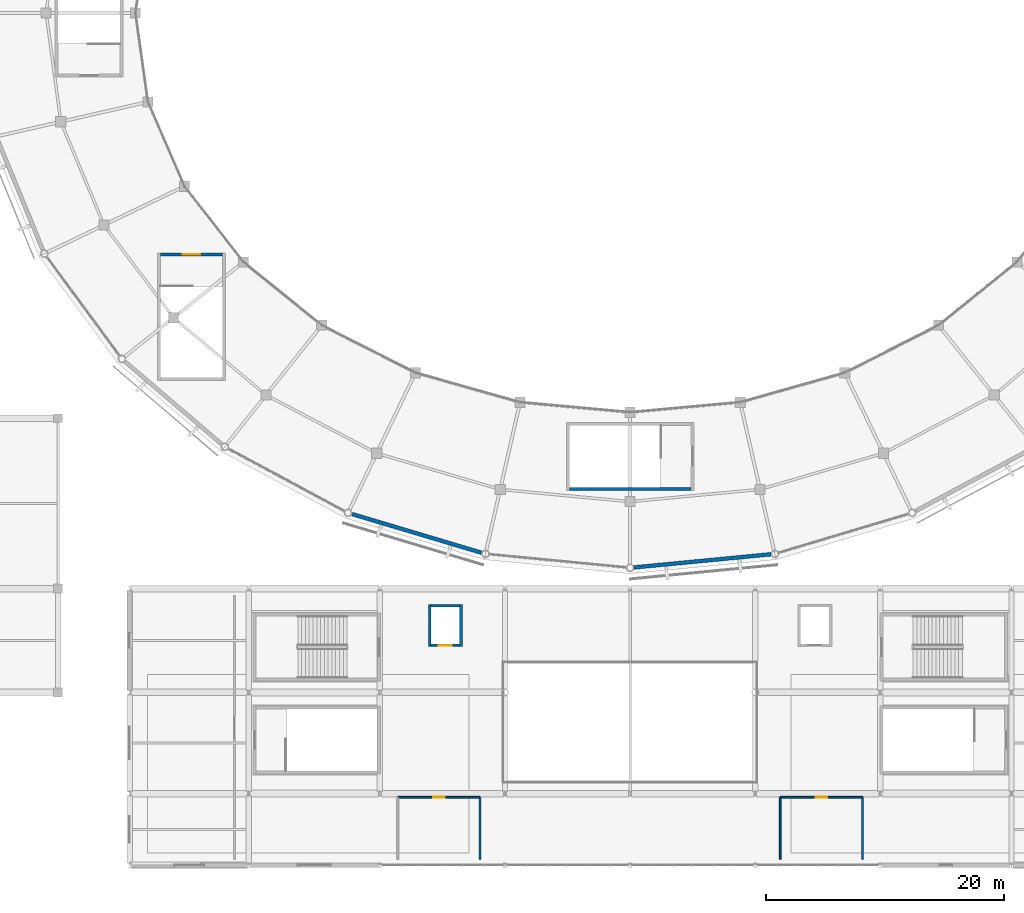
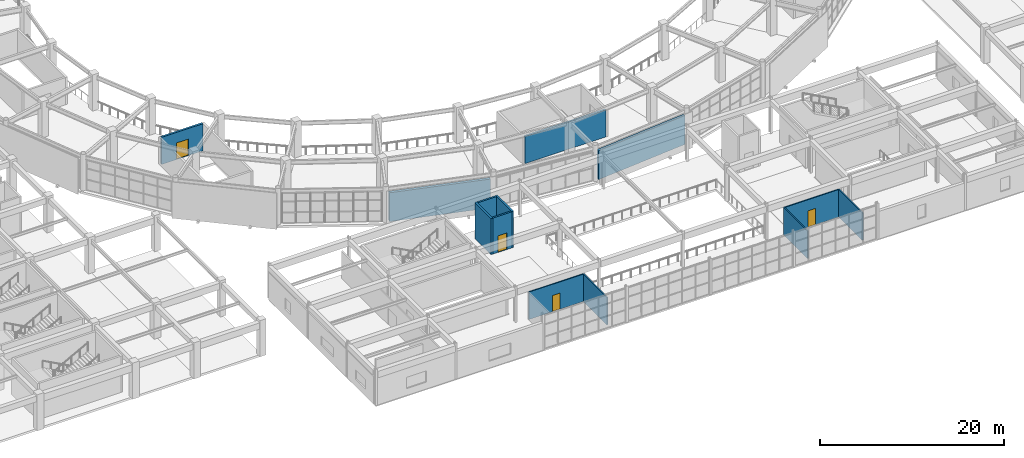
# One storey, part 81 of 112: 13 walls, 4 doors, 4 openings.
"""IFC4 building model written with IfcOpenShell, lengths in metres."""

from ifc_helpers import new_model, si_unit, direction, frame, frame_2d, origin, place, context, subcontext, project, spatial, rectangle, extrude, material, layer, layer_set, type_object, element, fill, save


model = new_model("IFC4")

# Units and contexts
model_context = context("Model", 3, precision=1e-05, world=origin(), true_north=direction((0.0, 1.0)))
body_context = subcontext(model_context, "Body", "Model", "MODEL_VIEW")
ifc_project = project(units=[si_unit("LENGTHUNIT", "METRE"), si_unit("AREAUNIT", "SQUARE_METRE"), si_unit("VOLUMEUNIT", "CUBIC_METRE"), si_unit("PLANEANGLEUNIT", "RADIAN"), si_unit("MASSUNIT", "GRAM", prefix="KILO")], contexts=[model_context])

# Site, building, storey
site_placement = place(None, origin())
site = spatial("IfcSite", under=ifc_project, at=site_placement, CompositionType="ELEMENT")
building_placement = place(site_placement, origin())
building = spatial("IfcBuilding", under=site, at=building_placement, Name="Cuetzalor Civic Arena", CompositionType="ELEMENT")
storey_placement = place(building_placement, frame((0.0, 0.0, 11.39990234375)))
storey = spatial("IfcBuildingStorey", under=building, at=storey_placement, Name="L02", CompositionType="ELEMENT", Elevation=11.39990234375)

# Wall, opening, door
ifc_material_1 = material(Name="Acoustic steel-stud gypsum partition", Category="steel")
ifc_layer_1 = layer(ifc_material_1, 0.14990234375)
ifc_layer_set_1 = layer_set([ifc_layer_1], Name="Acoustic steel-stud gypsum partition")
wall_type_1 = type_object("IfcWallType", Name="AcousticGypsumPartition_150", PredefinedType="PARTITIONING", material=ifc_layer_set_1)
wall_1_placement = place(storey_placement, frame((-19.5, -65.800048828125, 0.0), z_axis=(0.0, 0.0, 1.0), x_axis=(1.0, 0.0, 0.0)))
wall_1 = element("IfcWall", 1, at=wall_1_placement, inside=storey, type_object=wall_type_1, Name="Interior Partition IWALL:L02:0262", PredefinedType="PARTITIONING", context=body_context, shape_type="SweptSolid", body=[
    extrude(rectangle(XDim=6.89990234375, YDim=0.14990234375, at=frame_2d((3.449951171875, 0.0))), origin(), (0.0, 0.0, 1.0), 3.64501953125),
])
opening_1_placement = place(wall_1_placement, frame((2.97509765625, 0.0, 0.0)))
opening_1 = element("IfcOpeningElement", 2, at=opening_1_placement, cuts=wall_1, Name="Opening ID-03", PredefinedType="OPENING", context=body_context, shape_type="SweptSolid", body=[
    extrude(rectangle(XDim=0.949951171875, YDim=2.14990234375, at=frame_2d((0.47509765625, 1.074951171875))), frame((0.0, 0.0849609375, 0.0), z_axis=(0.0, -1.0, 0.0), x_axis=(1.0, 0.0, 0.0)), (0.0, 0.0, 1.0), 0.169921875),
])
ifc_material_2 = material(Name="Painted steel frame and solid timber leaf", Category="steel")
door_type_1 = type_object("IfcDoorType", Name="InteriorSingleDoor_950x2150", OperationType="NOTDEFINED", PredefinedType="DOOR", material=ifc_material_2)
door_1_placement = place(opening_1_placement, origin())
door_1 = element("IfcDoor", 3, at=door_1_placement, inside=storey, type_object=door_type_1, Name="Door to Public Restroom Club L02", OperationType="SINGLE_SWING_RIGHT", OverallHeight=2.14990234375, OverallWidth=0.949951171875, PredefinedType="DOOR", context=body_context, shape_type="SweptSolid", body=[
    extrude(rectangle(XDim=0.949951171875, YDim=2.14990234375, at=frame_2d((0.47509765625, 1.074951171875))), frame((0.0, 0.02490234375, 0.0), z_axis=(0.0, -1.0, 0.0), x_axis=(1.0, 0.0, 0.0)), (0.0, 0.0, 1.0), 0.050048828125),
])
fill(opening_1, door_1)

# Wall
wall_2_placement = place(storey_placement, frame((-12.60009765625, -65.800048828125, 0.0), z_axis=(0.0, 0.0, 1.0), x_axis=(0.0, -1.0, 0.0)))
element("IfcWall", 4, at=wall_2_placement, inside=storey, type_object=wall_type_1, Name="Interior Partition IWALL:L02:0263", PredefinedType="PARTITIONING", context=body_context, shape_type="SweptSolid", body=[
    extrude(rectangle(XDim=5.199951171875, YDim=0.14990234375, at=frame_2d((2.60009765625, 0.0))), origin(), (0.0, 0.0, 1.0), 3.64501953125),
])

# Wall, opening, door
wall_3_placement = place(storey_placement, frame((12.60009765625, -65.800048828125, 0.0), z_axis=(0.0, 0.0, 1.0), x_axis=(1.0, 0.0, 0.0)))
wall_3 = element("IfcWall", 5, at=wall_3_placement, inside=storey, type_object=wall_type_1, Name="Interior Partition IWALL:L02:0265", PredefinedType="PARTITIONING", context=body_context, shape_type="SweptSolid", body=[
    extrude(rectangle(XDim=6.89990234375, YDim=0.14990234375, at=frame_2d((3.449951171875, 0.0))), origin(), (0.0, 0.0, 1.0), 3.64501953125),
])
opening_2_placement = place(wall_3_placement, frame((2.97509765625, 0.0, 0.0)))
opening_2 = element("IfcOpeningElement", 6, at=opening_2_placement, cuts=wall_3, Name="Opening ID-03", PredefinedType="OPENING", context=body_context, shape_type="SweptSolid", body=[
    extrude(rectangle(XDim=0.949951171875, YDim=2.14990234375, at=frame_2d((0.47509765625, 1.074951171875))), frame((0.0, 0.0849609375, 0.0), z_axis=(0.0, -1.0, 0.0), x_axis=(1.0, 0.0, 0.0)), (0.0, 0.0, 1.0), 0.169921875),
])
door_2_placement = place(opening_2_placement, origin())
door_2 = element("IfcDoor", 7, at=door_2_placement, inside=storey, type_object=door_type_1, Name="Door to Accessible WC Club L02", OperationType="SINGLE_SWING_LEFT", OverallHeight=2.14990234375, OverallWidth=0.949951171875, PredefinedType="DOOR", context=body_context, shape_type="SweptSolid", body=[
    extrude(rectangle(XDim=0.949951171875, YDim=2.14990234375, at=frame_2d((0.47509765625, 1.074951171875))), frame((0.0, 0.02490234375, 0.0), z_axis=(0.0, -1.0, 0.0), x_axis=(1.0, 0.0, 0.0)), (0.0, 0.0, 1.0), 0.050048828125),
])
fill(opening_2, door_2)

# Walls
for number, where, z_axis, x_axis, name in (
    (8, (19.5, -65.800048828125, 0.0), (0.0, 0.0, 1.0), (0.0, -1.0, 0.0), "Interior Partition IWALL:L02:0266"),
    (9, (12.60009765625, -71.0, 0.0), (0.0, 0.0, 1.0), (0.0, 1.0, 0.0), "Interior Partition IWALL:L02:0267"),
):
    element("IfcWall", number, at=place(storey_placement, frame(where, z_axis=z_axis, x_axis=x_axis)), inside=storey, type_object=wall_type_1, Name=name, PredefinedType="PARTITIONING", context=body_context, shape_type="SweptSolid", body=[
        extrude(rectangle(XDim=5.199951171875, YDim=0.14990234375, at=frame_2d((2.60009765625, 0.0))), origin(), (0.0, 0.0, 1.0), 3.64501953125),
    ])

# Wall, opening, door
ifc_material_3 = material(Name="Concrete C40/50", Category="concrete")
ifc_layer_2 = layer(ifc_material_3, 0.25)
ifc_layer_set_2 = layer_set([ifc_layer_2], Name="Concrete C40/50")
wall_type_2 = type_object("IfcWallType", Name="ConcreteCoreShearWall_250", PredefinedType="SHEAR", material=ifc_layer_set_2)
wall_4_placement = place(storey_placement, frame((-39.39990234375, -20.27490234375, 0.0), z_axis=(0.0, 0.0, 1.0), x_axis=(1.0, 0.0, 0.0)))
wall_4 = element("IfcWall", 10, at=wall_4_placement, inside=storey, type_object=wall_type_2, Name="Stair Core Shear Wall ST-06-L02-N", PredefinedType="SHEAR", context=body_context, shape_type="SweptSolid", body=[
    extrude(rectangle(XDim=5.199951171875, YDim=0.25, at=frame_2d((2.60009765625, 0.0))), origin(), (0.0, 0.0, 1.0), 3.60009765625),
])
opening_3_placement = place(wall_4_placement, frame((1.85009765625, 0.0, 0.0)))
opening_3 = element("IfcOpeningElement", 11, at=opening_3_placement, cuts=wall_4, Name="Opening FD-03", PredefinedType="OPENING", context=body_context, shape_type="SweptSolid", body=[
    extrude(rectangle(XDim=1.5, YDim=2.199951171875, at=frame_2d((0.75, 1.10009765625))), frame((0.0, 0.135009765625, 0.0), z_axis=(0.0, -1.0, 0.0), x_axis=(1.0, 0.0, 0.0)), (0.0, 0.0, 1.0), 0.27001953125),
])
ifc_material_4 = material(Name="Fire-rated steel stair exit double door", Category="steel")
door_type_2 = type_object("IfcDoorType", Name="StairFireDoubleDoor_1500x2200", OperationType="DOUBLE_DOOR_SINGLE_SWING", PredefinedType="DOOR", material=ifc_material_4)
door_3_placement = place(opening_3_placement, origin())
door_3 = element("IfcDoor", 12, at=door_3_placement, inside=storey, type_object=door_type_2, Name="Fire Stair Door ST-06 L02", OperationType="DOUBLE_DOOR_SINGLE_SWING", OverallHeight=2.199951171875, OverallWidth=1.5, PredefinedType="DOOR", context=body_context, shape_type="SweptSolid", body=[
    extrude(rectangle(XDim=1.5, YDim=2.199951171875, at=frame_2d((0.75, 1.10009765625))), frame((0.0, 0.02490234375, 0.0), z_axis=(0.0, -1.0, 0.0), x_axis=(1.0, 0.0, 0.0)), (0.0, 0.0, 1.0), 0.050048828125),
])
fill(opening_3, door_3)

# Walls
wall_5_placement = place(storey_placement, frame((5.10009765625, -39.925048828125, 0.0), z_axis=(0.0, 0.0, 1.0), x_axis=(-1.0, 0.0, 0.0)))
element("IfcWall", 13, at=wall_5_placement, inside=storey, type_object=wall_type_2, Name="Stair Core Shear Wall ST-07-L02-S", PredefinedType="SHEAR", context=body_context, shape_type="SweptSolid", body=[
    extrude(rectangle(XDim=10.2001953125, YDim=0.25, at=frame_2d((5.10009765625, 0.0))), origin(), (0.0, 0.0, 1.0), 3.60009765625),
])
ifc_material_5 = material(Name="Precast concrete C40/50 insulated cladding", Category="concrete")
ifc_layer_3 = layer(ifc_material_5, 0.320068359375)
ifc_layer_set_3 = layer_set([ifc_layer_3], Name="Precast concrete C40/50 insulated cladding")
wall_type_3 = type_object("IfcWallType", Name="InsulatedPrecastWall_320", PredefinedType="SOLIDWALL", material=ifc_layer_set_3)
wall_6_placement = place(storey_placement, frame((-12.48486328125, -45.279541015625, 0.0), z_axis=(0.0, 0.0, 1.0), x_axis=(-0.958192076012, 0.286125751144, 0.0)))
element("IfcWall", 14, at=wall_6_placement, inside=storey, type_object=wall_type_3, Name="Drum Acoustic Backing Wall L02-036", PredefinedType="SOLIDWALL", context=body_context, shape_type="SweptSolid", body=[
    extrude(rectangle(XDim=11.31005859375, YDim=0.320068359375, at=frame_2d((5.655029296875, 0.0))), origin(), (0.0, 0.0, 1.0), 3.83203125),
])
wall_7_placement = place(storey_placement, frame((11.8251953125, -45.4130859375, 0.0), z_axis=(0.0, 0.0, 1.0), x_axis=(-0.995408913067, -0.095713613383, 0.0)))
element("IfcWall", 15, at=wall_7_placement, inside=storey, type_object=wall_type_3, Name="Drum Acoustic Backing Wall L02-037", PredefinedType="SOLIDWALL", context=body_context, shape_type="SweptSolid", body=[
    extrude(rectangle(XDim=11.56494140625, YDim=0.320068359375, at=frame_2d((5.782470703125, 0.0))), origin(), (0.0, 0.0, 1.0), 3.83203125),
])
ifc_material_6 = material(Name="Concrete C40/50", Category="concrete")
ifc_layer_4 = layer(ifc_material_6, 0.219970703125)
ifc_layer_set_4 = layer_set([ifc_layer_4], Name="Concrete C40/50")
wall_type_4 = type_object("IfcWallType", Name="LiftShaftShearWall_220", PredefinedType="SHEAR", material=ifc_layer_set_4)
wall_8_placement = place(storey_placement, frame((-16.81005859375, -53.169921875, 0.0), z_axis=(0.0, 0.0, 1.0), x_axis=(0.0, 1.0, 0.0)))
element("IfcWall", 16, at=wall_8_placement, inside=storey, type_object=wall_type_4, Name="Lift Shaft Wall LP-01-L02-W", PredefinedType="SHEAR", context=body_context, shape_type="SweptSolid", body=[
    extrude(rectangle(XDim=3.5400390625, YDim=0.219970703125, at=frame_2d((1.77001953125, 0.0))), origin(), (0.0, 0.0, 1.0), 4.800048828125),
])
wall_9_placement = place(storey_placement, frame((-16.699951171875, -49.739990234375, 0.0), z_axis=(0.0, 0.0, 1.0), x_axis=(1.0, 0.0, 0.0)))
element("IfcWall", 17, at=wall_9_placement, inside=storey, type_object=wall_type_4, Name="Lift Shaft Wall LP-01-L02-N", PredefinedType="SHEAR", context=body_context, shape_type="SweptSolid", body=[
    extrude(rectangle(XDim=2.39990234375, YDim=0.219970703125, at=frame_2d((1.199951171875, 0.0))), origin(), (0.0, 0.0, 1.0), 4.800048828125),
])
wall_10_placement = place(storey_placement, frame((-14.18994140625, -49.6298828125, 0.0), z_axis=(0.0, 0.0, 1.0), x_axis=(0.0, -1.0, 0.0)))
element("IfcWall", 18, at=wall_10_placement, inside=storey, type_object=wall_type_4, Name="Lift Shaft Wall LP-01-L02-E", PredefinedType="SHEAR", context=body_context, shape_type="SweptSolid", body=[
    extrude(rectangle(XDim=3.5400390625, YDim=0.219970703125, at=frame_2d((1.77001953125, 0.0))), origin(), (0.0, 0.0, 1.0), 4.800048828125),
])

# Wall, opening, door
wall_11_placement = place(storey_placement, frame((-14.300048828125, -53.06005859375, 0.0), z_axis=(0.0, 0.0, 1.0), x_axis=(-1.0, 0.0, 0.0)))
wall_11 = element("IfcWall", 19, at=wall_11_placement, inside=storey, type_object=wall_type_4, Name="Lift Shaft Wall LP-01-L02-S", PredefinedType="SHEAR", context=body_context, shape_type="SweptSolid", body=[
    extrude(rectangle(XDim=2.39990234375, YDim=0.219970703125, at=frame_2d((1.199951171875, 0.0))), origin(), (0.0, 0.0, 1.0), 4.800048828125),
])
opening_4_placement = place(wall_11_placement, frame((0.64990234375, 0.0, 0.0)))
opening_4 = element("IfcOpeningElement", 20, at=opening_4_placement, cuts=wall_11, Name="Opening LD-01", PredefinedType="OPENING", context=body_context, shape_type="SweptSolid", body=[
    extrude(rectangle(XDim=1.10009765625, YDim=2.199951171875, at=frame_2d((0.550048828125, 1.10009765625))), frame((0.0, 0.1201171875, 0.0), z_axis=(0.0, -1.0, 0.0), x_axis=(1.0, 0.0, 0.0)), (0.0, 0.0, 1.0), 0.239990234375),
])
ifc_material_7 = material(Name="Brushed stainless steel sliding lift landing door", Category="steel")
door_type_3 = type_object("IfcDoorType", Name="LiftLandingSlidingDoor_1100x2200", OperationType="SLIDING_TO_LEFT", PredefinedType="DOOR", material=ifc_material_7)
door_4_placement = place(opening_4_placement, origin())
door_4 = element("IfcDoor", 21, at=door_4_placement, inside=storey, type_object=door_type_3, Name="Lift Landing Sliding Door LP-01 L02", OperationType="SLIDING_TO_LEFT", OverallHeight=2.199951171875, OverallWidth=1.10009765625, PredefinedType="DOOR", context=body_context, shape_type="SweptSolid", body=[
    extrude(rectangle(XDim=1.10009765625, YDim=2.199951171875, at=frame_2d((0.550048828125, 1.10009765625))), frame((0.0, 0.02490234375, 0.0), z_axis=(0.0, -1.0, 0.0), x_axis=(1.0, 0.0, 0.0)), (0.0, 0.0, 1.0), 0.050048828125),
])
fill(opening_4, door_4)

save(model, "model.ifc")
